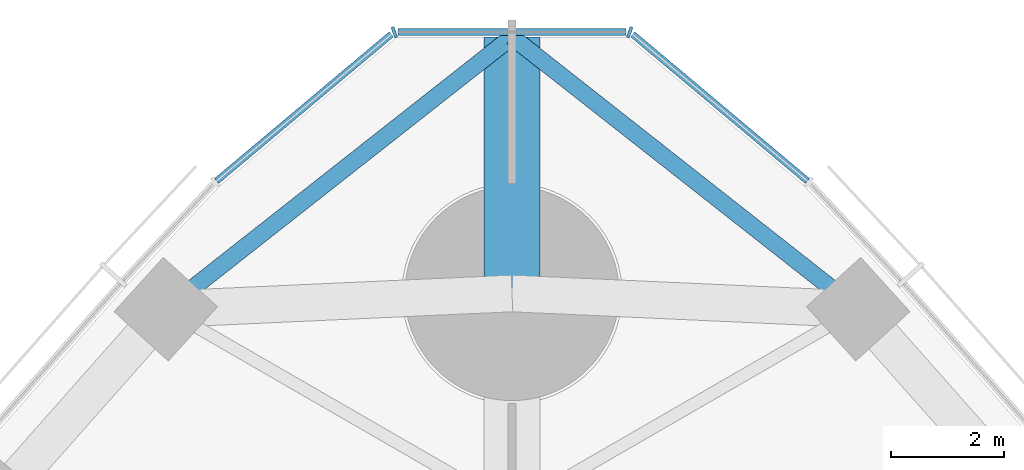
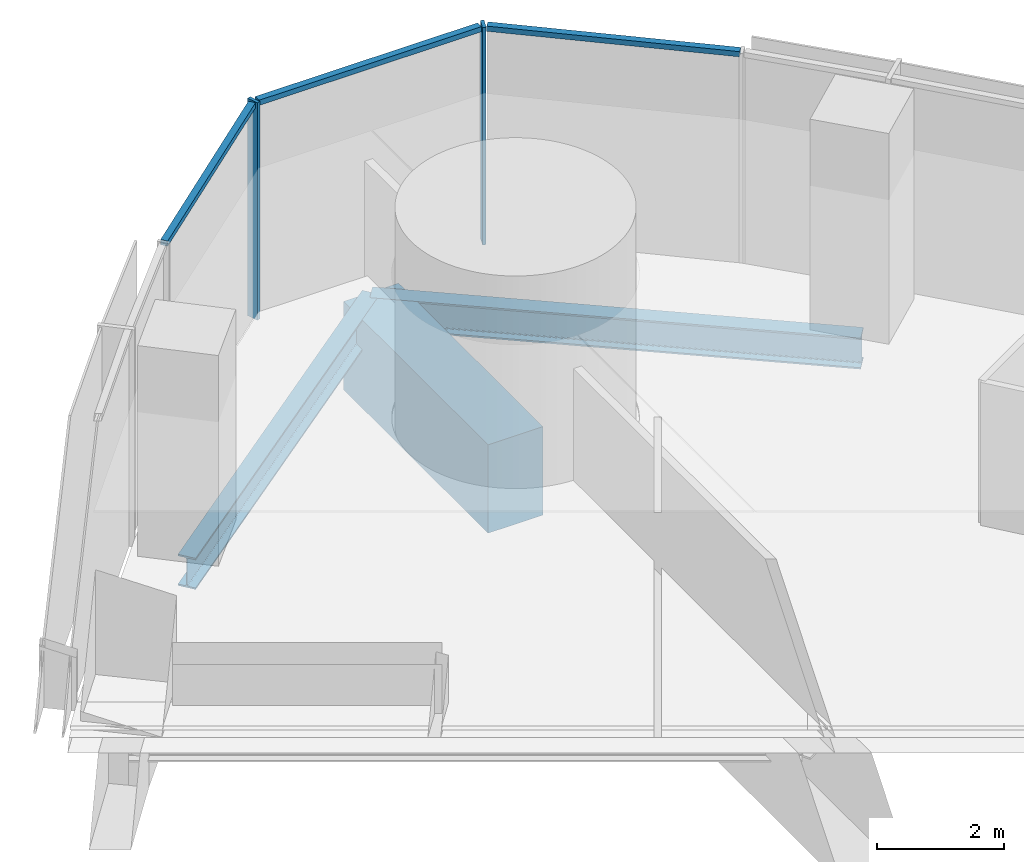
# One storey, part 9 of 19: 5 members, 3 beams, 1 element without a shape of its own.
"""IFC4 building model written with IfcOpenShell, lengths in metres."""

from ifc_helpers import new_model, si_unit, direction, frame, origin, origin_2d, place, context, subcontext, project, spatial, rectangle, i_section, extrude, material, material_profile, profile_set, type_object, element, aggregate, save


model = new_model("IFC4")

# Units and contexts
model_context = context("Model", 3, precision=1e-05, world=origin(), true_north=direction((0.0, 1.0)))
body_context = subcontext(model_context, "Body", "Model", "MODEL_VIEW")
ifc_project = project(units=[si_unit("LENGTHUNIT", "METRE"), si_unit("AREAUNIT", "SQUARE_METRE"), si_unit("VOLUMEUNIT", "CUBIC_METRE"), si_unit("PLANEANGLEUNIT", "RADIAN"), si_unit("MASSUNIT", "GRAM", prefix="KILO")], contexts=[model_context])

# Site, building, storey
site_placement = place(None, origin())
site = spatial("IfcSite", under=ifc_project, at=site_placement, CompositionType="ELEMENT")
building_placement = place(site_placement, origin())
building = spatial("IfcBuilding", under=site, at=building_placement, Name="Trefoil Bronze Tower", CompositionType="ELEMENT")
storey_placement = place(building_placement, frame((0.0, 0.0, 136.699951171875)))
storey = spatial("IfcBuildingStorey", under=building, at=storey_placement, Name="L31", CompositionType="ELEMENT", Elevation=136.699951171875)

# Curtain wall, members
ifc_material_1 = material(Name="Tinted solar-control glass", Category="glass")
curtain_wall_type = type_object("IfcCurtainWallType", Name="Bronze rounded corner curtain wall", PredefinedType="USERDEFINED", material=ifc_material_1)
curtain_wall_placement = place(storey_placement, origin())
curtain_wall = element("IfcCurtainWall", 1, at=curtain_wall_placement, inside=storey, type_object=curtain_wall_type, Name="CW-B L31 K2", ObjectType="CURTAIN WALL", PredefinedType="USERDEFINED")
ifc_material_2 = material(Name="Bronze-finish aluminium", Category="aluminium")
ifc_material_profile_1 = material_profile(ifc_material_2, rectangle(XDim=0.199951171875, YDim=0.06005859375, at=origin_2d()), Name="CW-B mullion")
ifc_profile_set_1 = profile_set([ifc_material_profile_1], Name="Bronze-finish aluminium")
member_type_1 = type_object("IfcMemberType", Name="Bronze rounded corner curtain wall mullion", PredefinedType="MULLION", material=ifc_profile_set_1)
member_1_placement = place(storey_placement, frame((2.08642578125, 39.631591796875, 0.0), z_axis=(0.0, 0.0, 1.0), x_axis=(-0.342020143326, -0.939692620786, 0.0)))
member_1 = element("IfcMember", 2, at=member_1_placement, type_object=member_type_1, Name="CW-B L31 K2 mullion 2", PredefinedType="MULLION", context=body_context, shape_type="SweptSolid", body=[
    extrude(rectangle(XDim=0.199951171875, YDim=0.06005859375, at=origin_2d()), origin(), (0.0, 0.0, 1.0), 4.179931640625),
])
member_2_placement = place(storey_placement, frame((-2.08642578125, 39.631591796875, 0.0), z_axis=(0.0, 0.0, 1.0), x_axis=(0.342020143326, -0.939692620786, 0.0)))
member_2 = element("IfcMember", 3, at=member_2_placement, type_object=member_type_1, Name="CW-B L31 K2 mullion 3", PredefinedType="MULLION", context=body_context, shape_type="SweptSolid", body=[
    extrude(rectangle(XDim=0.199951171875, YDim=0.06005859375, at=origin_2d()), origin(), (0.0, 0.0, 1.0), 4.179931640625),
])
ifc_material_3 = material(Name="Bronze-finish aluminium", Category="aluminium")
ifc_material_profile_2 = material_profile(ifc_material_3, rectangle(XDim=0.1201171875, YDim=0.10009765625, at=origin_2d()), Name="CW-B transom")
ifc_profile_set_2 = profile_set([ifc_material_profile_2], Name="Bronze-finish aluminium")
member_type_2 = type_object("IfcMemberType", Name="Bronze rounded corner curtain wall transom", PredefinedType="USERDEFINED", material=ifc_profile_set_2)
member_3_placement = place(storey_placement, frame((5.237548828125, 36.9951171875, 4.130126953125), z_axis=(-0.766049624684, 0.642781434487, 0.0), x_axis=(-0.642781434487, -0.766049624684, 0.0)))
member_3 = element("IfcMember", 4, at=member_3_placement, type_object=member_type_2, Name="CW-B L31 K2 transom 1", ObjectType="TRANSOM", PredefinedType="USERDEFINED", context=body_context, shape_type="SweptSolid", body=[
    extrude(rectangle(XDim=0.1201171875, YDim=0.10009765625, at=origin_2d()), origin(), (0.0, 0.0, 1.0), 4.04443359375),
])
member_4_placement = place(storey_placement, frame((2.022216796875, 39.637451171875, 4.130126953125), z_axis=(-1.0, 0.0, 0.0), x_axis=(0.0, -1.0, 0.0)))
member_4 = element("IfcMember", 5, at=member_4_placement, type_object=member_type_2, Name="CW-B L31 K2 transom 2", ObjectType="TRANSOM", PredefinedType="USERDEFINED", context=body_context, shape_type="SweptSolid", body=[
    extrude(rectangle(XDim=0.1201171875, YDim=0.10009765625, at=origin_2d()), origin(), (0.0, 0.0, 1.0), 4.04443359375),
])
member_5_placement = place(storey_placement, frame((-2.139404296875, 39.5947265625, 4.130126953125), z_axis=(-0.766049624684, -0.642781434487, 0.0), x_axis=(0.642781434487, -0.766049624684, 0.0)))
member_5 = element("IfcMember", 6, at=member_5_placement, type_object=member_type_2, Name="CW-B L31 K2 transom 3", ObjectType="TRANSOM", PredefinedType="USERDEFINED", context=body_context, shape_type="SweptSolid", body=[
    extrude(rectangle(XDim=0.1201171875, YDim=0.10009765625, at=origin_2d()), origin(), (0.0, 0.0, 1.0), 4.04443359375),
])
aggregate(curtain_wall, [member_1, member_2, member_3, member_4, member_5])

# Beams
ifc_material_4 = material(Name="Concrete B80", Category="concrete")
ifc_material_profile_3 = material_profile(ifc_material_4, rectangle(XDim=1.0, YDim=1.699951171875, at=origin_2d()), Name="RC 1000x1700")
ifc_profile_set_3 = profile_set([ifc_material_profile_3], Name="Concrete B80")
beam_type_1 = type_object("IfcBeamType", Name="Corner cantilever RC 1000x1700", PredefinedType="BEAM", material=ifc_profile_set_3)
beam_placement = place(storey_placement, frame((0.0, 35.0, -1.050048828125), z_axis=(0.0, 1.0, 0.0), x_axis=(-1.0, 0.0, 0.0)))
element("IfcBeam", 7, at=beam_placement, inside=storey, type_object=beam_type_1, Name="Corner cantilever K2 L31", PredefinedType="BEAM", context=body_context, shape_type="SweptSolid", body=[
    extrude(rectangle(XDim=1.0, YDim=1.699951171875, at=origin_2d()), origin(), (0.0, 0.0, 1.0), 4.54931640625),
])
ifc_material_5 = material(Name="Steel C355", Category="steel")
ifc_material_profile_4 = material_profile(ifc_material_5, i_section(OverallWidth=0.300048828125, OverallDepth=0.60009765625, WebThickness=0.015380859375, FlangeThickness=0.030029296875, FilletRadius=0.027099609375, at=origin_2d()), Name="HEB 600")
ifc_profile_set_4 = profile_set([ifc_material_profile_4], Name="Steel C355")
beam_type_2 = type_object("IfcBeamType", Name="Corner edge beam HEB 600", PredefinedType="BEAM", material=ifc_profile_set_4)
for number, where, z_axis, x_axis, name in (
    (8, (6.13916015625, 34.72119140625, -0.5), (-0.786038406433, 0.61817766347, 0.0), (-0.61817766347, -0.786038406433, 0.0), "Corner edge beam F2A L31"),
    (9, (-6.13916015625, 34.72119140625, -0.5), (0.786038406433, 0.61817766347, 0.0), (-0.61817766347, 0.786038406433, 0.0), "Corner edge beam F3B L31"),
):
    element("IfcBeam", number, at=place(storey_placement, frame(where, z_axis=z_axis, x_axis=x_axis)), inside=storey, type_object=beam_type_2, Name=name, PredefinedType="BEAM", context=body_context, shape_type="SweptSolid", body=[
        extrude(i_section(OverallWidth=0.300048828125, OverallDepth=0.60009765625, WebThickness=0.015380859375, FlangeThickness=0.030029296875, FilletRadius=0.027099609375, at=origin_2d()), origin(), (0.0, 0.0, 1.0), 7.810302734375),
    ])

save(model, "model.ifc")
